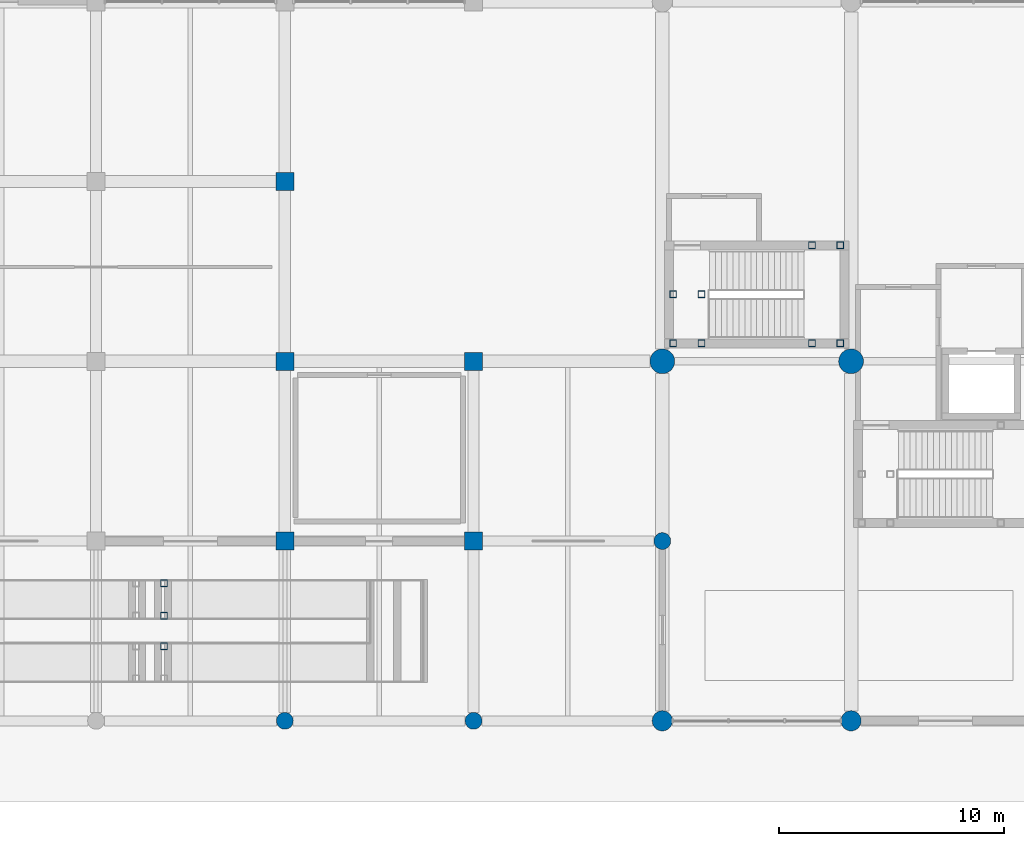
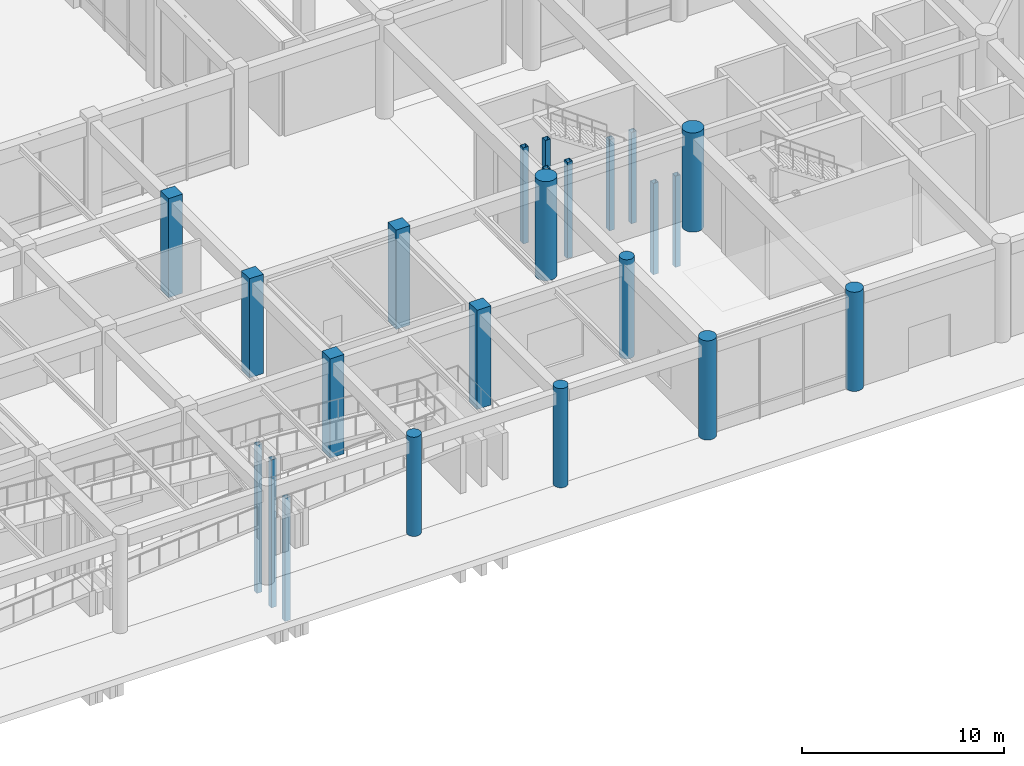
# One storey, part 6 of 76: 23 columns.
"""IFC4 building model written with IfcOpenShell, lengths in metres."""

from ifc_helpers import new_model, si_unit, direction, frame, origin, origin_2d, place, context, subcontext, project, spatial, rectangle, hollow_rectangle, circle, extrude, material, material_profile, profile_set, type_object, element, save


model = new_model("IFC4")

# Units and contexts
model_context = context("Model", 3, precision=1e-05, world=origin(), true_north=direction((0.0, 1.0)))
body_context = subcontext(model_context, "Body", "Model", "MODEL_VIEW")
ifc_project = project(units=[si_unit("LENGTHUNIT", "METRE"), si_unit("AREAUNIT", "SQUARE_METRE"), si_unit("VOLUMEUNIT", "CUBIC_METRE"), si_unit("PLANEANGLEUNIT", "RADIAN"), si_unit("MASSUNIT", "GRAM", prefix="KILO")], contexts=[model_context])

# Site, building, storey
site_placement = place(None, origin())
site = spatial("IfcSite", under=ifc_project, at=site_placement, CompositionType="ELEMENT")
building_placement = place(site_placement, origin())
building = spatial("IfcBuilding", under=site, at=building_placement, Name="Naruveol Harbour Congress Hotel", CompositionType="ELEMENT")
storey_placement = place(building_placement, origin())
storey = spatial("IfcBuildingStorey", under=building, at=storey_placement, Name="L00", CompositionType="ELEMENT", Elevation=0.0)

# Columns
ifc_material_1 = material(Name="Concrete C50/60", Category="concrete")
ifc_material_profile_1 = material_profile(ifc_material_1, circle(Radius=0.375, at=origin_2d()), Name="RC-D750")
ifc_profile_set_1 = profile_set([ifc_material_profile_1], Name="Concrete C50/60")
column_type_1 = type_object("IfcColumnType", Name="RC COLONNADE COLUMN D750", PredefinedType="COLUMN", material=ifc_profile_set_1)
for number, where, z_axis, x_axis, name in (
    (1, (100.800048828125, 0.0, 0.0), (0.0, 0.0, 1.0), (1.0, 0.0, 0.0), "Column C-CD750 L00 (100.8,0.0)"),
    (2, (109.199951171875, 0.0, 0.0), (0.0, 0.0, 1.0), (1.0, 0.0, 0.0), "Column C-CD750 L00 (109.2,0.0)"),
    (3, (117.60009765625, 8.0, 0.0), (0.0, 0.0, 1.0), (1.0, 0.0, 0.0), "Column C-CD750 L00 (117.6,8.0)"),
):
    element("IfcColumn", number, at=place(storey_placement, frame(where, z_axis=z_axis, x_axis=x_axis)), inside=storey, type_object=column_type_1, Name=name, PredefinedType="COLUMN", context=body_context, shape_type="SweptSolid", body=[
        extrude(circle(Radius=0.375, at=origin_2d()), origin(), (0.0, 0.0, 1.0), 6.0),
    ])
ifc_material_2 = material(Name="Concrete C50/60", Category="concrete")
ifc_material_profile_2 = material_profile(ifc_material_2, circle(Radius=0.449951171875, at=origin_2d()), Name="RC-D900")
ifc_profile_set_2 = profile_set([ifc_material_profile_2], Name="Concrete C50/60")
column_type_2 = type_object("IfcColumnType", Name="RC HARBOUR PILOTIS D900", PredefinedType="COLUMN", material=ifc_profile_set_2)
for number, where, z_axis, x_axis, name in (
    (4, (117.60009765625, 0.0, 0.0), (0.0, 0.0, 1.0), (1.0, 0.0, 0.0), "Column C-PD900 L00 (117.6,0.0)"),
    (5, (126.0, 0.0, 0.0), (0.0, 0.0, 1.0), (1.0, 0.0, 0.0), "Column C-PD900 L00 (126.0,0.0)"),
):
    element("IfcColumn", number, at=place(storey_placement, frame(where, z_axis=z_axis, x_axis=x_axis)), inside=storey, type_object=column_type_2, Name=name, PredefinedType="COLUMN", context=body_context, shape_type="SweptSolid", body=[
        extrude(circle(Radius=0.449951171875, at=origin_2d()), origin(), (0.0, 0.0, 1.0), 6.0),
    ])
ifc_material_3 = material(Name="Concrete C50/60", Category="concrete")
ifc_material_profile_3 = material_profile(ifc_material_3, rectangle(XDim=0.800048828125, YDim=0.800048828125, at=origin_2d()), Name="RC-800x800")
ifc_profile_set_3 = profile_set([ifc_material_profile_3], Name="Concrete C50/60")
column_type_3 = type_object("IfcColumnType", Name="RC PODIUM COLUMN 800X800", PredefinedType="COLUMN", material=ifc_profile_set_3)
for number, where, z_axis, x_axis, name in (
    (6, (100.800048828125, 8.0, 0.0), (0.0, 0.0, 1.0), (1.0, 0.0, 0.0), "Column C-800 L00 (100.8,8.0)"),
    (7, (100.800048828125, 16.0, 0.0), (0.0, 0.0, 1.0), (1.0, 0.0, 0.0), "Column C-800 L00 (100.8,16.0)"),
    (8, (100.800048828125, 24.0, 0.0), (0.0, 0.0, 1.0), (1.0, 0.0, 0.0), "Column C-800 L00 (100.8,24.0)"),
    (9, (109.199951171875, 8.0, 0.0), (0.0, 0.0, 1.0), (1.0, 0.0, 0.0), "Column C-800 L00 (109.2,8.0)"),
    (10, (109.199951171875, 16.0, 0.0), (0.0, 0.0, 1.0), (1.0, 0.0, 0.0), "Column C-800 L00 (109.2,16.0)"),
):
    element("IfcColumn", number, at=place(storey_placement, frame(where, z_axis=z_axis, x_axis=x_axis)), inside=storey, type_object=column_type_3, Name=name, PredefinedType="COLUMN", context=body_context, shape_type="SweptSolid", body=[
        extrude(rectangle(XDim=0.800048828125, YDim=0.800048828125, at=origin_2d()), origin(), (0.0, 0.0, 1.0), 6.0),
    ])
ifc_material_4 = material(Name="Concrete C50/60", Category="concrete")
ifc_material_profile_4 = material_profile(ifc_material_4, circle(Radius=0.550048828125, at=origin_2d()), Name="RC-D1100")
ifc_profile_set_4 = profile_set([ifc_material_profile_4], Name="Concrete C50/60")
column_type_4 = type_object("IfcColumnType", Name="RC TRANSFER PILOTIS D1100", PredefinedType="COLUMN", material=ifc_profile_set_4)
for number, where, z_axis, x_axis, name in (
    (11, (117.60009765625, 16.0, 0.0), (0.0, 0.0, 1.0), (1.0, 0.0, 0.0), "Column C-PD1100 L00 (117.6,16.0)"),
    (12, (126.0, 16.0, 0.0), (0.0, 0.0, 1.0), (1.0, 0.0, 0.0), "Column C-PD1100 L00 (126.0,16.0)"),
):
    element("IfcColumn", number, at=place(storey_placement, frame(where, z_axis=z_axis, x_axis=x_axis)), inside=storey, type_object=column_type_4, Name=name, PredefinedType="COLUMN", context=body_context, shape_type="SweptSolid", body=[
        extrude(circle(Radius=0.550048828125, at=origin_2d()), origin(), (0.0, 0.0, 1.0), 6.0),
    ])
ifc_material_5 = material(Name="Steel SN490", Category="steel")
ifc_material_profile_5 = material_profile(ifc_material_5, hollow_rectangle(XDim=0.300048828125, YDim=0.300048828125, WallThickness=0.011962890625, at=origin_2d()), Name="SHS-300x300x12")
ifc_profile_set_5 = profile_set([ifc_material_profile_5], Name="Steel SN490")
column_type_5 = type_object("IfcColumnType", Name="STEEL COLONNADE POST SHS300", PredefinedType="COLUMN", material=ifc_profile_set_5)
column_placement = place(storey_placement, frame((95.419921875, 3.320068359375, -5.39990234375), z_axis=(0.0, 0.0, 1.0), x_axis=(1.0, 0.0, 0.0)))
element("IfcColumn", 13, at=column_placement, inside=storey, type_object=column_type_5, Name="Ramp landing corner post #12", PredefinedType="COLUMN", context=body_context, shape_type="SweptSolid", body=[
    extrude(hollow_rectangle(XDim=0.300048828125, YDim=0.300048828125, WallThickness=0.011962890625, at=origin_2d()), origin(), (0.0, 0.0, 1.0), 7.449951171875),
])
for number, where, z_axis, x_axis, name in (
    (14, (95.419921875, 4.679931640625, -5.39990234375), (0.0, 0.0, 1.0), (1.0, 0.0, 0.0), "Ramp landing corner post #15"),
    (15, (95.419921875, 6.1201171875, -5.39990234375), (0.0, 0.0, 1.0), (1.0, 0.0, 0.0), "Ramp landing corner post #16"),
):
    element("IfcColumn", number, at=place(storey_placement, frame(where, z_axis=z_axis, x_axis=x_axis)), inside=storey, type_object=column_type_5, Name=name, PredefinedType="COLUMN", context=body_context, shape_type="SweptSolid", body=[
        extrude(hollow_rectangle(XDim=0.300048828125, YDim=0.300048828125, WallThickness=0.011962890625, at=origin_2d()), origin(), (0.0, 0.0, 1.0), 8.949951171875),
    ])
for number, where, z_axis, x_axis, name in (
    (16, (118.080078125, 16.800048828125, 0.0), (0.0, 0.0, 1.0), (1.0, 0.0, 0.0), "Stair landing support post ST3W #194"),
    (17, (118.080078125, 18.97998046875, 0.0), (0.0, 0.0, 1.0), (1.0, 0.0, 0.0), "Stair landing support post ST3W #204"),
    (18, (119.340087890625, 16.800048828125, 0.0), (0.0, 0.0, 1.0), (1.0, 0.0, 0.0), "Stair landing support post ST3W #214"),
    (19, (119.340087890625, 18.97998046875, 0.0), (0.0, 0.0, 1.0), (1.0, 0.0, 0.0), "Stair landing support post ST3W #224"),
):
    element("IfcColumn", number, at=place(storey_placement, frame(where, z_axis=z_axis, x_axis=x_axis)), inside=storey, type_object=column_type_5, Name=name, PredefinedType="COLUMN", context=body_context, shape_type="SweptSolid", body=[
        extrude(hollow_rectangle(XDim=0.300048828125, YDim=0.300048828125, WallThickness=0.011962890625, at=origin_2d()), origin(), (0.0, 0.0, 1.0), 5.820068359375),
    ])
for number, where, z_axis, x_axis, name in (
    (20, (124.260009765625, 16.800048828125, -2.699951171875), (0.0, 0.0, 1.0), (1.0, 0.0, 0.0), "Stair landing support post ST3E #234"),
    (21, (124.260009765625, 21.159912109375, -2.699951171875), (0.0, 0.0, 1.0), (1.0, 0.0, 0.0), "Stair landing support post ST3E #244"),
    (22, (125.52001953125, 16.800048828125, -2.699951171875), (0.0, 0.0, 1.0), (1.0, 0.0, 0.0), "Stair landing support post ST3E #254"),
    (23, (125.52001953125, 21.159912109375, -2.699951171875), (0.0, 0.0, 1.0), (1.0, 0.0, 0.0), "Stair landing support post ST3E #264"),
):
    element("IfcColumn", number, at=place(storey_placement, frame(where, z_axis=z_axis, x_axis=x_axis)), inside=storey, type_object=column_type_5, Name=name, PredefinedType="COLUMN", context=body_context, shape_type="SweptSolid", body=[
        extrude(hollow_rectangle(XDim=0.300048828125, YDim=0.300048828125, WallThickness=0.011962890625, at=origin_2d()), origin(), (0.0, 0.0, 1.0), 5.52001953125),
    ])

save(model, "model.ifc")
